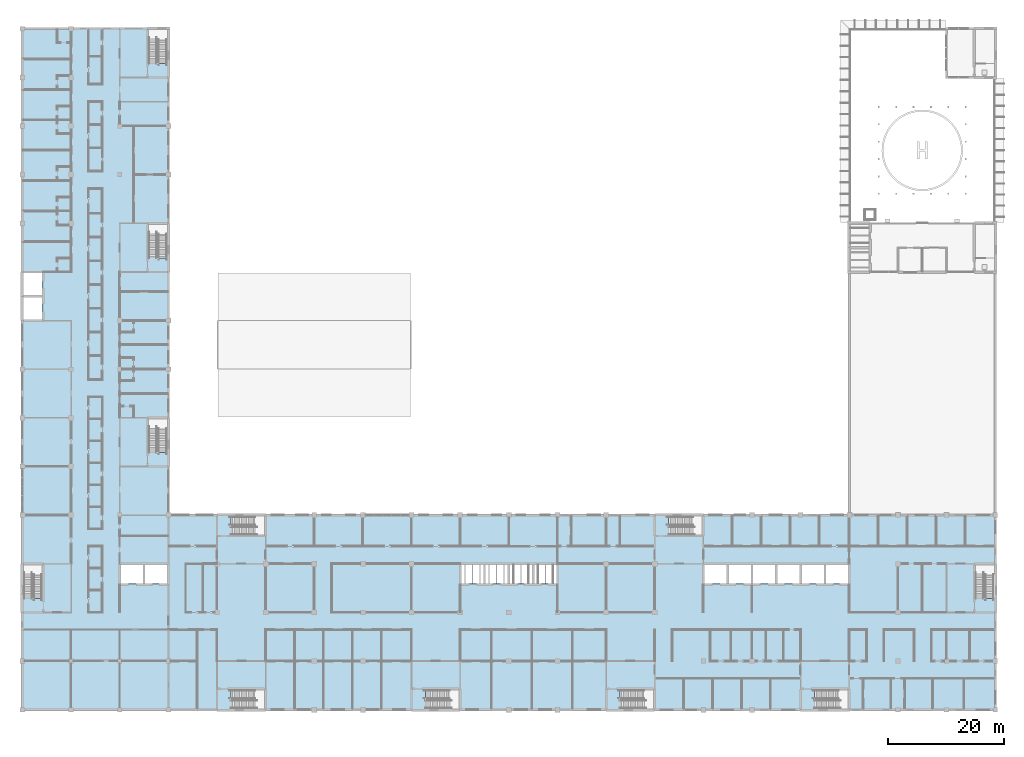
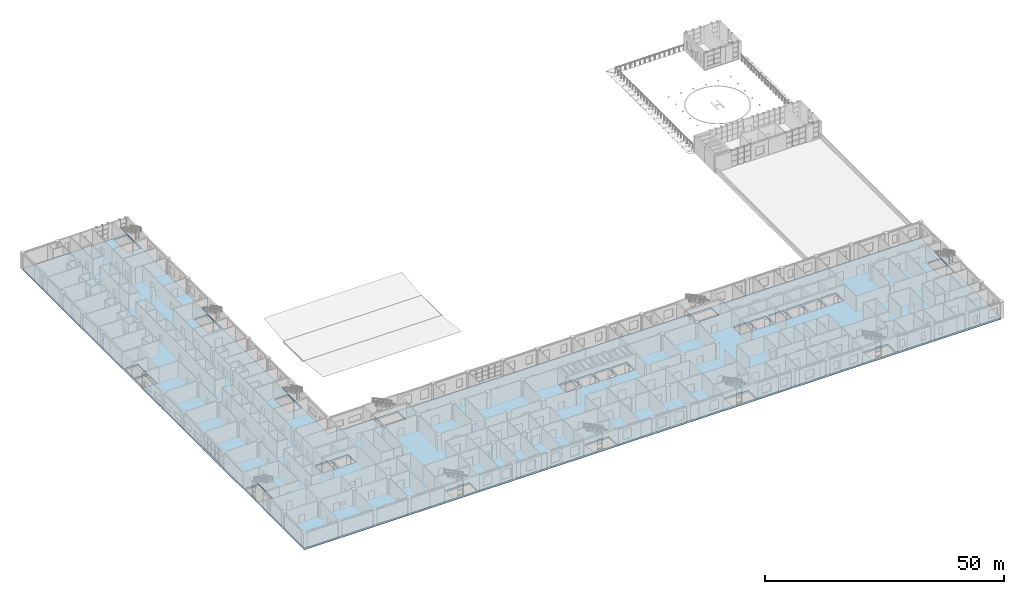
# One storey, part 27 of 66: 1 slab.
"""IFC4 building model written with IfcOpenShell, lengths in metres."""

from ifc_helpers import new_model, si_unit, direction, frame, origin, place, context, subcontext, project, spatial, polyline, outline, extrude, material, layer, layer_set, type_object, element, save


model = new_model("IFC4")

# Units and contexts
model_context = context("Model", 3, precision=1e-05, world=origin(), true_north=direction((0.0, 1.0)))
body_context = subcontext(model_context, "Body", "Model", "MODEL_VIEW")
ifc_project = project(units=[si_unit("LENGTHUNIT", "METRE"), si_unit("AREAUNIT", "SQUARE_METRE"), si_unit("VOLUMEUNIT", "CUBIC_METRE"), si_unit("PLANEANGLEUNIT", "RADIAN"), si_unit("MASSUNIT", "GRAM", prefix="KILO")], contexts=[model_context])

# Site, building, storey
site_placement = place(None, origin())
site = spatial("IfcSite", under=ifc_project, at=site_placement, CompositionType="ELEMENT")
building_placement = place(site_placement, origin())
building = spatial("IfcBuilding", under=site, at=building_placement, Name="Yavir Park General Hospital", CompositionType="ELEMENT")
storey_placement = place(building_placement, frame((0.0, 0.0, 8.39990234375)))
storey = spatial("IfcBuildingStorey", under=building, at=storey_placement, Name="L02", CompositionType="ELEMENT", Elevation=8.39990234375)

# Slab
ifc_material = material(Name="Concrete C35/45", Category="concrete")
ifc_layer = layer(ifc_material, 0.449951171875)
ifc_layer_set = layer_set([ifc_layer], Name="Concrete C35/45")
slab_type = type_object("IfcSlabType", Name="RC SLAB FLOOR 450", PredefinedType="FLOOR", material=ifc_layer_set)
slab_placement = place(storey_placement, frame((0.0, 0.0, -0.4501953125)))
element("IfcSlab", 1, at=slab_placement, inside=storey, type_object=slab_type, Name="S:L02:0", PredefinedType="FLOOR", context=body_context, shape_type="SweptSolid", body=[
    extrude(outline(polyline([(168.0, 33.60009765625), (25.199951171875, 33.60009765625), (25.199951171875, 117.60009765625), (0.0, 117.60009765625), (0.0, 0.0), (168.0, 0.0), (168.0, 33.60009765625)]), holes=[polyline([(17.0, 25.0), (20.800048828125, 25.0), (20.800048828125, 21.800048828125), (17.0, 21.800048828125), (17.0, 25.0)]), polyline([(21.199951171875, 25.0), (25.0, 25.0), (25.0, 21.800048828125), (21.199951171875, 21.800048828125), (21.199951171875, 25.0)]), polyline([(75.800048828125, 25.0), (79.60009765625, 25.0), (79.60009765625, 21.800048828125), (75.800048828125, 21.800048828125), (75.800048828125, 25.0)]), polyline([(80.0, 25.0), (83.800048828125, 25.0), (83.800048828125, 21.800048828125), (80.0, 21.800048828125), (80.0, 25.0)]), polyline([(84.199951171875, 21.800048828125), (84.199951171875, 25.0), (88.0, 25.0), (88.0, 21.800048828125), (84.199951171875, 21.800048828125)]), polyline([(88.39990234375, 25.0), (92.199951171875, 25.0), (92.199951171875, 21.800048828125), (88.39990234375, 21.800048828125), (88.39990234375, 25.0)]), polyline([(0.199951171875, 71.199951171875), (3.39990234375, 71.199951171875), (3.39990234375, 67.39990234375), (0.199951171875, 67.39990234375), (0.199951171875, 71.199951171875)]), polyline([(0.199951171875, 75.39990234375), (3.39990234375, 75.39990234375), (3.39990234375, 71.60009765625), (0.199951171875, 71.60009765625), (0.199951171875, 75.39990234375)]), polyline([(117.800048828125, 25.0), (121.60009765625, 25.0), (121.60009765625, 21.800048828125), (117.800048828125, 21.800048828125), (117.800048828125, 25.0)]), polyline([(122.0, 25.0), (125.800048828125, 25.0), (125.800048828125, 21.800048828125), (122.0, 21.800048828125), (122.0, 25.0)]), polyline([(126.199951171875, 25.0), (130.0, 25.0), (130.0, 21.800048828125), (126.199951171875, 21.800048828125), (126.199951171875, 25.0)]), polyline([(130.39990234375, 25.0), (134.199951171875, 25.0), (134.199951171875, 21.800048828125), (130.39990234375, 21.800048828125), (130.39990234375, 25.0)]), polyline([(134.60009765625, 25.0), (138.39990234375, 25.0), (138.39990234375, 21.800048828125), (134.60009765625, 21.800048828125), (134.60009765625, 25.0)]), polyline([(138.800048828125, 25.0), (142.60009765625, 25.0), (142.60009765625, 21.800048828125), (138.800048828125, 21.800048828125), (138.800048828125, 25.0)]), polyline([(3.39990234375, 19.201416015625), (1.64990234375, 19.201416015625), (1.64990234375, 19.3515625), (0.14990234375, 19.3515625), (0.14990234375, 25.0), (3.39990234375, 25.0), (3.39990234375, 19.201416015625)]), polyline([(41.800048828125, 0.14990234375), (36.151611328125, 0.14990234375), (36.151611328125, 1.64990234375), (36.00146484375, 1.64990234375), (36.00146484375, 3.39990234375), (41.800048828125, 3.39990234375), (41.800048828125, 0.14990234375)]), polyline([(69.75146484375, 1.64990234375), (69.6015625, 1.64990234375), (69.6015625, 3.39990234375), (75.39990234375, 3.39990234375), (75.39990234375, 0.14990234375), (69.75146484375, 0.14990234375), (69.75146484375, 1.64990234375)]), polyline([(103.201416015625, 3.39990234375), (109.0, 3.39990234375), (109.0, 0.14990234375), (103.3515625, 0.14990234375), (103.3515625, 1.64990234375), (103.201416015625, 1.64990234375), (103.201416015625, 3.39990234375)]), polyline([(142.60009765625, 0.14990234375), (136.951416015625, 0.14990234375), (136.951416015625, 1.64990234375), (136.801513671875, 1.64990234375), (136.801513671875, 3.39990234375), (142.60009765625, 3.39990234375), (142.60009765625, 0.14990234375)]), polyline([(164.60009765625, 25.0), (167.85009765625, 25.0), (167.85009765625, 19.201416015625), (166.0, 19.201416015625), (166.0, 19.3515625), (164.60009765625, 19.3515625), (164.60009765625, 25.0)]), polyline([(36.00146484375, 33.449951171875), (41.800048828125, 33.449951171875), (41.800048828125, 30.199951171875), (36.151611328125, 30.199951171875), (36.151611328125, 31.60009765625), (36.00146484375, 31.60009765625), (36.00146484375, 33.449951171875)]), polyline([(117.39990234375, 30.199951171875), (111.75146484375, 30.199951171875), (111.75146484375, 31.60009765625), (111.6015625, 31.60009765625), (111.6015625, 33.449951171875), (117.39990234375, 33.449951171875), (117.39990234375, 30.199951171875)]), polyline([(21.800048828125, 50.199951171875), (25.050048828125, 50.199951171875), (25.050048828125, 44.401611328125), (23.199951171875, 44.401611328125), (23.199951171875, 44.551513671875), (21.800048828125, 44.551513671875), (21.800048828125, 50.199951171875)]), polyline([(25.050048828125, 78.00146484375), (23.199951171875, 78.00146484375), (23.199951171875, 78.151611328125), (21.800048828125, 78.151611328125), (21.800048828125, 83.800048828125), (25.050048828125, 83.800048828125), (25.050048828125, 78.00146484375)]), polyline([(23.199951171875, 111.75146484375), (21.800048828125, 111.75146484375), (21.800048828125, 117.449951171875), (25.050048828125, 117.449951171875), (25.050048828125, 111.6015625), (23.199951171875, 111.6015625), (23.199951171875, 111.75146484375)])]), origin(), (0.0, 0.0, 1.0), 0.4501953125),
])

save(model, "model.ifc")
